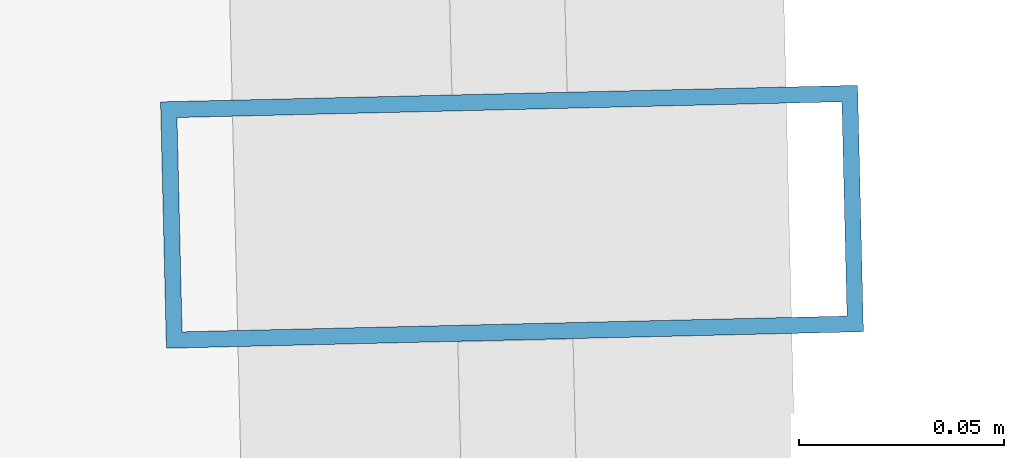
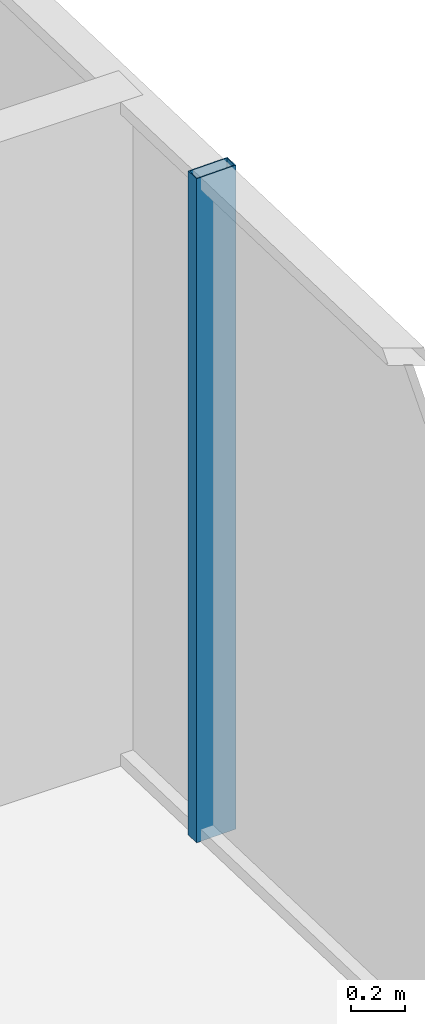
# One storey, part 14 of 31: 1 member, 1 element without a shape of its own.
"""IFC4 building model written with IfcOpenShell, lengths in metres."""

import ifcopenshell
import ifcopenshell.guid

model = None  # the IFC model being written
_history = None  # IfcOwnerHistory: only IFC2X3 demands one
_inside = {}  # id of a spatial element -> (the spatial element, [elements in it])
_under = {}  # id of a project, library or spatial element -> (it, [spatial elements below it])
_declared = {}  # id of a project -> (the project, [libraries it declares])
_typed = {}  # id of a type object -> (the type object, [elements of that type])
_made_of = {}  # id of a material, layer set ... -> (it, [elements and type objects made of it])


def new_model(schema):
    """Start an empty IFC model of exactly this schema.

    Asked for "IFC4X3", IfcOpenShell would pick the latest addendum, in which some entities
    have other attributes; the version numbers below select the first issue.
    IFC2X3 requires an IfcOwnerHistory on every rooted entity: one is made here for all.
    """
    global model, _history
    if schema == "IFC4X3":
        model = ifcopenshell.file(schema_version=(4, 3, 0, 0))
    else:
        model = ifcopenshell.file(schema=schema)
    _inside.clear()
    _under.clear()
    _declared.clear()
    _typed.clear()
    _made_of.clear()
    _history = None
    if model.schema == "IFC2X3":
        org = make("IfcOrganization", Name="unknown")
        user = make(
            "IfcPersonAndOrganization",
            ThePerson=make("IfcPerson", FamilyName="unknown"),
            TheOrganization=org,
        )
        app = make(
            "IfcApplication",
            ApplicationDeveloper=org,
            Version="unknown",
            ApplicationFullName="unknown",
            ApplicationIdentifier="unknown",
        )
        _history = make(
            "IfcOwnerHistory",
            OwningUser=user,
            OwningApplication=app,
            ChangeAction="ADDED",
            CreationDate=0,
        )
    return model


def make(cls, **values):
    """One entity of the class cls with the attributes given. An attribute that is None is left unset."""
    return model.create_entity(
        cls, **{name: value for name, value in values.items() if value is not None}
    )


def rooted(cls, **values):
    """An entity with a GlobalId (a new one), such as an element, a storey or a relation."""
    return make(cls, GlobalId=ifcopenshell.guid.new(), OwnerHistory=_history, **values)


def si_unit(unit_type, name, prefix=None):
    """IfcSIUnit, for example si_unit("LENGTHUNIT", "METRE", prefix="MILLI")."""
    return make("IfcSIUnit", UnitType=unit_type, Prefix=prefix, Name=name)


def assignment(units):
    """IfcUnitAssignment: the units of a project."""
    return None if units is None else make("IfcUnitAssignment", Units=units)


def point(xyz):
    """IfcCartesianPoint."""
    return None if xyz is None else make("IfcCartesianPoint", Coordinates=xyz)


def direction(xyz):
    """IfcDirection."""
    return None if xyz is None else make("IfcDirection", DirectionRatios=xyz)


def frame(location, z_axis=None, x_axis=None):
    """IfcAxis2Placement3D, a coordinate frame: its origin and axes. An axis left out is left unset."""
    return make(
        "IfcAxis2Placement3D",
        Location=point(location),
        Axis=direction(z_axis),
        RefDirection=direction(x_axis),
    )


def frame_2d(location, x_axis=None):
    """IfcAxis2Placement2D, a coordinate frame in the plane: its origin and x axis."""
    return make(
        "IfcAxis2Placement2D", Location=point(location), RefDirection=direction(x_axis)
    )


def origin():
    """The frame at (0, 0, 0) with its axes left unset."""
    return frame((0.0, 0.0, 0.0))


def origin_2d():
    """The frame at (0, 0) in the plane with its x axis left unset."""
    return frame_2d((0.0, 0.0))


def place(relative_to, where):
    """IfcLocalPlacement: puts the frame where relative to a parent placement (None: the world)."""
    return make(
        "IfcLocalPlacement", PlacementRelTo=relative_to, RelativePlacement=where
    )


def context(
    kind, dimensions, precision=None, world=None, true_north=None, identifier=None
):
    """IfcGeometricRepresentationContext, for example the 3D "Model" context."""
    return make(
        "IfcGeometricRepresentationContext",
        ContextIdentifier=identifier,
        ContextType=kind,
        CoordinateSpaceDimension=dimensions,
        Precision=precision,
        WorldCoordinateSystem=world,
        TrueNorth=true_north,
    )


def subcontext(parent, identifier, kind, view, scale=None):
    """IfcGeometricRepresentationSubContext, for example "Body" below "Model"."""
    return make(
        "IfcGeometricRepresentationSubContext",
        ContextIdentifier=identifier,
        ContextType=kind,
        ParentContext=parent,
        TargetScale=scale,
        TargetView=view,
    )


def project(units=None, contexts=None):
    """IfcProject with its units and contexts."""
    return rooted(
        "IfcProject",
        Name="project",
        RepresentationContexts=contexts,
        UnitsInContext=assignment(units),
    )


def spatial(cls, under=None, at=None, **own):
    """A site, building, storey or space (cls), placed at a placement, below another one or the project."""
    s = rooted(cls, ObjectPlacement=at, **own)
    if under is not None:
        _under.setdefault(under.id(), (under, []))[1].append(s)
    return s


def profile(cls, at=None, kind="AREA", **sizes):
    """A parametric profile (cls). Its sizes go by their IFC names, for example OverallWidth=200.0."""
    return make(cls, ProfileType=kind, Position=at, **sizes)


def hollow_rectangle(**sizes):
    """IfcRectangleHollowProfileDef."""
    return profile("IfcRectangleHollowProfileDef", **sizes)


def extrude(swept, where, along, depth):
    """IfcExtrudedAreaSolid: the profile swept, set in the frame where, extruded along a direction by depth."""
    return make(
        "IfcExtrudedAreaSolid",
        SweptArea=swept,
        Position=where,
        ExtrudedDirection=direction(along),
        Depth=depth,
    )


def shape(context_of_items, identifier, shape_type, items):
    """IfcShapeRepresentation: the items that make up one representation, for example the "Body"."""
    return make(
        "IfcShapeRepresentation",
        ContextOfItems=context_of_items,
        RepresentationIdentifier=identifier,
        RepresentationType=shape_type,
        Items=items,
    )


def source(mapping_origin, context_of_items, identifier, shape_type, items):
    """IfcRepresentationMap: a shape defined once, which mapped items show again and again."""
    return make(
        "IfcRepresentationMap",
        MappingOrigin=mapping_origin,
        MappedRepresentation=shape(context_of_items, identifier, shape_type, items),
    )


def transform(
    local_origin,
    x_axis=None,
    y_axis=None,
    z_axis=None,
    scale=None,
    scale2=None,
    scale3=None,
    uniform=True,
):
    """IfcCartesianTransformationOperator3D, or its non-uniform kind. x_axis, y_axis, z_axis: its Axis1, 2, 3."""
    if uniform:
        return make(
            "IfcCartesianTransformationOperator3D",
            Axis1=direction(x_axis),
            Axis2=direction(y_axis),
            LocalOrigin=point(local_origin),
            Scale=scale,
            Axis3=direction(z_axis),
        )
    return make(
        "IfcCartesianTransformationOperator3DnonUniform",
        Axis1=direction(x_axis),
        Axis2=direction(y_axis),
        LocalOrigin=point(local_origin),
        Scale=scale,
        Axis3=direction(z_axis),
        Scale2=scale2,
        Scale3=scale3,
    )


def mapped(mapping_source, mapping_target):
    """IfcMappedItem: shows the shape of a source again, moved by a transform."""
    return make(
        "IfcMappedItem", MappingSource=mapping_source, MappingTarget=mapping_target
    )


def material(Name=None, Category=None):
    """IfcMaterial."""
    return make("IfcMaterial", Name=Name, Category=Category)


def layer(
    of_material, thickness, ventilated=None, Name=None, Category=None, Priority=None
):
    """IfcMaterialLayer: one layer of a wall or slab, of a material (None: an air gap)."""
    return make(
        "IfcMaterialLayer",
        Material=of_material,
        LayerThickness=thickness,
        IsVentilated=ventilated,
        Name=Name,
        Category=Category,
        Priority=Priority,
    )


def layer_set(layers, Name=None):
    """IfcMaterialLayerSet."""
    return make("IfcMaterialLayerSet", MaterialLayers=layers, LayerSetName=Name)


def material_profile(
    of_material, cross_section, Name=None, Category=None, Priority=None
):
    """IfcMaterialProfile: a cross section and its material."""
    return make(
        "IfcMaterialProfile",
        Name=Name,
        Material=of_material,
        Profile=cross_section,
        Priority=Priority,
        Category=Category,
    )


def profile_set(profiles, Name=None, composite=None):
    """IfcMaterialProfileSet."""
    return make(
        "IfcMaterialProfileSet",
        Name=Name,
        MaterialProfiles=profiles,
        CompositeProfile=composite,
    )


def made_of(thing, what):
    """Note that an element or type object is made of a material, layer set ...; save() writes the relation."""
    if what is not None:
        _made_of.setdefault(what.id(), (what, []))[1].append(thing)
    return thing


def type_object(cls, material=None, **own):
    """A type object (cls), such as IfcWallType, which elements share."""
    return made_of(rooted(cls, **own), material)


def element(
    cls,
    number,
    at=None,
    inside=None,
    cuts=None,
    type_object=None,
    material=None,
    context=None,
    identifier="Body",
    shape_type=None,
    held_by="IfcProductDefinitionShape",
    body=None,
    shapes=None,
    **own,
):
    """One element of the class cls, such as IfcWall. Its Tag is "e" and its number.

    at: its placement. inside: the storey or other place that contains it. cuts: it is an
    opening in that element (IfcRelVoidsElement). A single representation is given by context,
    identifier, shape_type and body (its items); several are given by shapes. held_by: the class
    of the entity that holds the representations. save() writes the other relations.
    """
    e = rooted(cls, Tag="e%d" % number, ObjectPlacement=at, **own)
    if body is not None:
        shapes = [shape(context, identifier, shape_type, body)]
    if shapes is not None:
        e.Representation = make(held_by, Representations=shapes)
    if inside is not None:
        _inside.setdefault(inside.id(), (inside, []))[1].append(e)
    if cuts is not None:
        rooted(
            "IfcRelVoidsElement", RelatingBuildingElement=cuts, RelatedOpeningElement=e
        )
    if type_object is not None:
        _typed.setdefault(type_object.id(), (type_object, []))[1].append(e)
    return made_of(e, material)


def aggregate(whole, parts):
    """IfcRelAggregates: a whole, such as a stair, and the parts it consists of."""
    return rooted("IfcRelAggregates", RelatingObject=whole, RelatedObjects=parts)


def save(model, path):
    """Write the relations noted so far, then the file.

    IfcRelAggregates (storeys below a building ...), IfcRelContainedInSpatialStructure (elements
    in a storey), IfcRelDefinesByType, IfcRelAssociatesMaterial and IfcRelDeclares: one each for
    every whole, place, type object, material and project.
    """
    for whole, parts in _under.values():
        aggregate(whole, parts)
    for where, things in _inside.values():
        rooted(
            "IfcRelContainedInSpatialStructure",
            RelatedElements=things,
            RelatingStructure=where,
        )
    for kind, things in _typed.values():
        rooted("IfcRelDefinesByType", RelatedObjects=things, RelatingType=kind)
    for what, things in _made_of.values():
        rooted("IfcRelAssociatesMaterial", RelatedObjects=things, RelatingMaterial=what)
    for by, libraries in _declared.values():
        rooted("IfcRelDeclares", RelatingContext=by, RelatedDefinitions=libraries)
    model.write(path)


model = new_model("IFC4")

# Units and contexts
model_context = context("Model", 3, precision=1e-05, world=origin(), true_north=direction((0.0, 1.0)))
body_context = subcontext(model_context, "Body", "Model", "MODEL_VIEW")
ifc_project = project(units=[si_unit("LENGTHUNIT", "METRE"), si_unit("AREAUNIT", "SQUARE_METRE"), si_unit("VOLUMEUNIT", "CUBIC_METRE"), si_unit("PLANEANGLEUNIT", "RADIAN"), si_unit("MASSUNIT", "GRAM", prefix="KILO")], contexts=[model_context])

# Site, building, storey
site_placement = place(None, origin())
site = spatial("IfcSite", under=ifc_project, at=site_placement, CompositionType="ELEMENT")
building_placement = place(site_placement, origin())
building = spatial("IfcBuilding", under=site, at=building_placement, Name="Veraguas Prism Commons", CompositionType="ELEMENT")
storey_placement = place(building_placement, frame((0.0, 0.0, 132.75)))
storey = spatial("IfcBuildingStorey", under=building, at=storey_placement, Name="L37", CompositionType="ELEMENT", Elevation=132.75)

# Curtain wall, member
ifc_material = material(Name="Anodised aluminium EN AW-6063 T6", Category="aluminium")
ifc_layer = layer(ifc_material, 0.169921875, Name="Unitised Flush Curtain Wall Zone 2", Category="aluminium")
ifc_layer_set = layer_set([ifc_layer], Name="Anodised aluminium EN AW-6063 T6")
curtain_wall_type = type_object("IfcCurtainWallType", Name="Unitised Flush Curtain Wall Zone 2", PredefinedType="NOTDEFINED", material=ifc_layer_set)
curtain_wall_placement = place(storey_placement, origin())
curtain_wall = element("IfcCurtainWall", 1, at=curtain_wall_placement, inside=storey, type_object=curtain_wall_type, Name="Tower Facade Curtain Wall L37-F6", PredefinedType="NOTDEFINED")
ifc_material_profile = material_profile(ifc_material, hollow_rectangle(XDim=0.06005859375, YDim=0.169921875, WallThickness=0.00390625, at=origin_2d()), Name="AL60X170X4")
ifc_profile_set = profile_set([ifc_material_profile], Name="Anodised aluminium EN AW-6063 T6")
member_type = type_object("IfcMemberType", Name="Curtain Wall Mullion Lower AL 60x170x4", PredefinedType="MULLION", material=ifc_profile_set)
shared_shape = source(origin(), body_context, "Body", "SweptSolid", [
    extrude(hollow_rectangle(XDim=0.06005859375, YDim=0.169921875, WallThickness=0.00390625, at=origin_2d()), origin(), (0.0, 0.0, 1.0), 3.0),
])
member_placement = place(storey_placement, frame((43.177001953125, 24.455322265625, 0.0), z_axis=(0.0, 0.0, 1.0), x_axis=(-0.023737738629, 0.999718220182, 0.0)))
member = element("IfcMember", 2, at=member_placement, type_object=member_type, Name="CW-Z2 Mullion 3", PredefinedType="MULLION", context=body_context, shape_type="MappedRepresentation", body=[
    mapped(shared_shape, transform((0.0, 0.0, 0.0), scale=1.0)),
])
aggregate(curtain_wall, [member])

save(model, "model.ifc")
